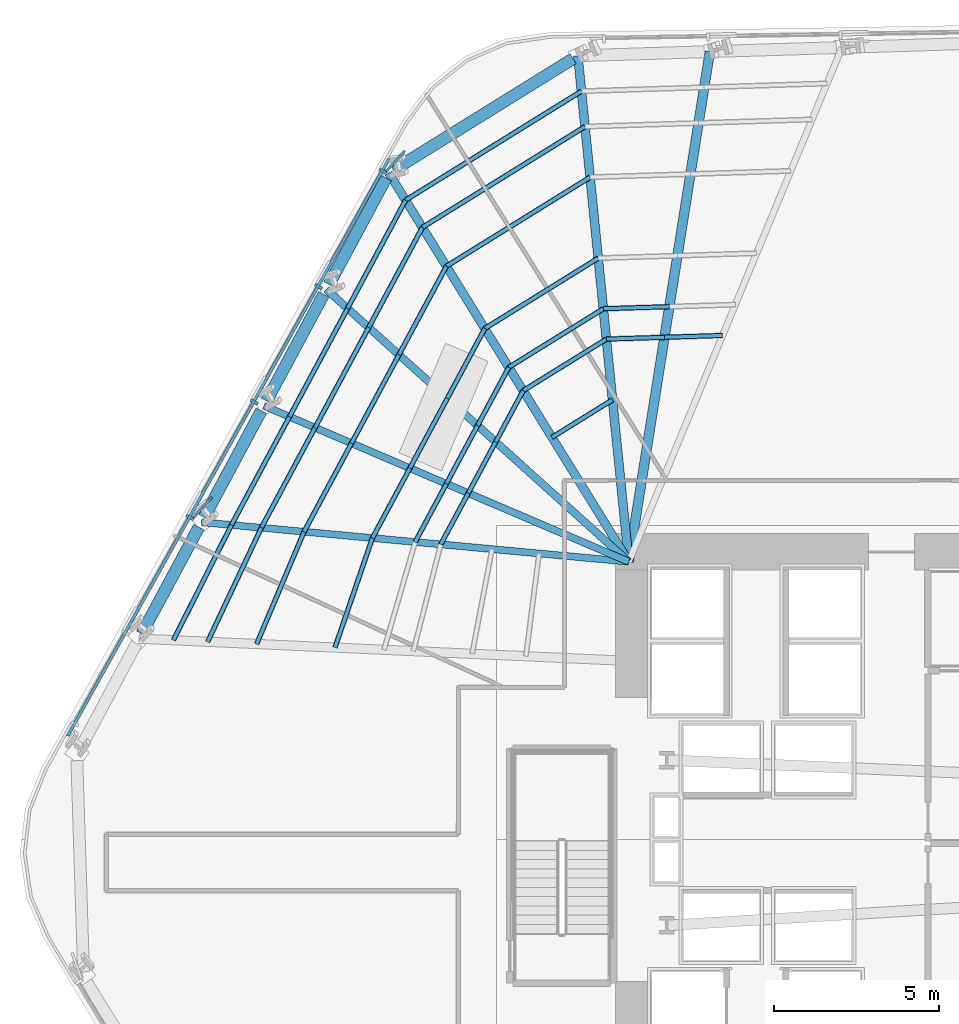
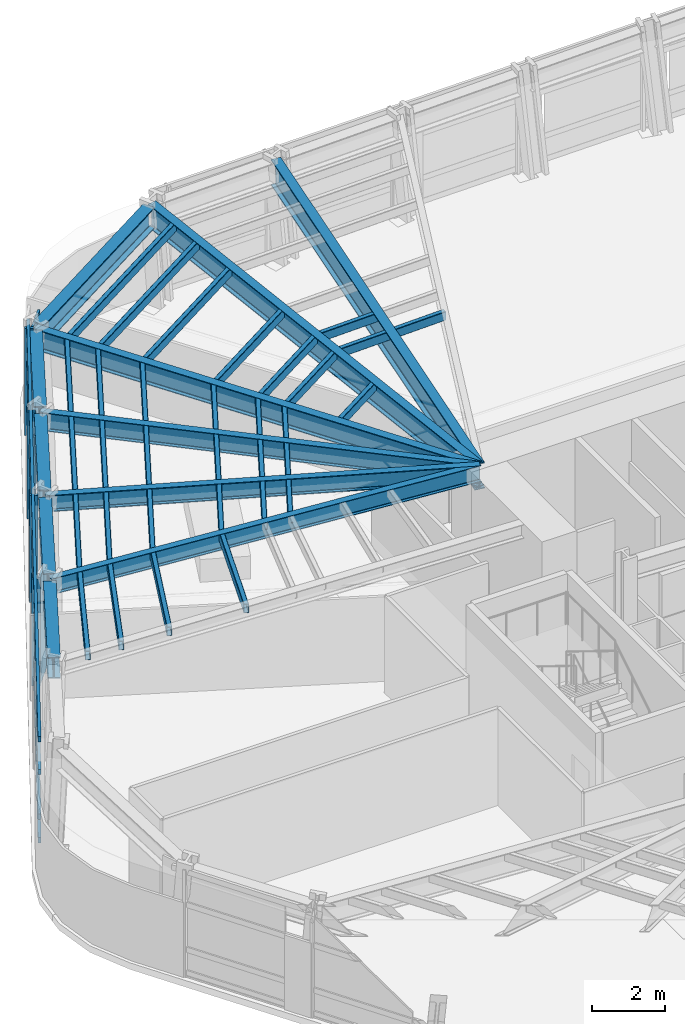
# One storey, part 5 of 15: 42 members, 11 beams, 1 element without a shape of its own.
"""IFC4 building model written with IfcOpenShell, lengths in metres."""

from ifc_helpers import new_model, si_unit, direction, frame, origin, origin_2d, place, context, subcontext, project, spatial, rectangle, hollow_rectangle, i_section, extrude, material, layer, layer_set, material_profile, profile_set, type_object, element, aggregate, save


model = new_model("IFC4")

# Units and contexts
model_context = context("Model", 3, precision=1e-05, world=origin(), true_north=direction((0.0, 1.0)))
body_context = subcontext(model_context, "Body", "Model", "MODEL_VIEW")
ifc_project = project(units=[si_unit("LENGTHUNIT", "METRE"), si_unit("AREAUNIT", "SQUARE_METRE"), si_unit("VOLUMEUNIT", "CUBIC_METRE"), si_unit("PLANEANGLEUNIT", "RADIAN"), si_unit("MASSUNIT", "GRAM", prefix="KILO")], contexts=[model_context])

# Site, building, storey
site_placement = place(None, origin())
site = spatial("IfcSite", under=ifc_project, at=site_placement, CompositionType="ELEMENT")
building_placement = place(site_placement, origin())
building = spatial("IfcBuilding", under=site, at=building_placement, Name="Valkerne Bourse Tower", CompositionType="ELEMENT")
storey_placement = place(building_placement, frame((0.0, 0.0, 27.800048828125)))
storey = spatial("IfcBuildingStorey", under=building, at=storey_placement, Name="L06", CompositionType="ELEMENT", Elevation=27.800048828125)

# Beams
ifc_material_1 = material(Name="Steel ASTM A992", Category="steel")
ifc_material_profile_1 = material_profile(ifc_material_1, i_section(OverallWidth=0.209228515625, OverallDepth=0.533447265625, WebThickness=0.01025390625, FlangeThickness=0.015625, FilletRadius=0.017822265625, at=origin_2d()), Name="W21X62")
ifc_profile_set_1 = profile_set([ifc_material_profile_1], Name="Steel ASTM A992")
beam_type_1 = type_object("IfcBeamType", Name="BM-W21X62", PredefinedType="JOIST", material=ifc_profile_set_1)
beam_1_placement = place(storey_placement, frame((24.67626953125, 36.595703125, 3.313232421875), z_axis=(0.9957466841, -0.09213327903, 0.0), x_axis=(0.09213327903, 0.9957466841, 0.0)))
element("IfcBeam", 1, at=beam_1_placement, inside=storey, type_object=beam_type_1, Name="L06 Radial Composite Floor Beam 15", PredefinedType="JOIST", context=body_context, shape_type="SweptSolid", body=[
    extrude(i_section(OverallWidth=0.209228515625, OverallDepth=0.533447265625, WebThickness=0.01025390625, FlangeThickness=0.015625, FilletRadius=0.017822265625, at=origin_2d()), origin(), (0.0, 0.0, 1.0), 12.97900390625),
])
ifc_material_profile_2 = material_profile(ifc_material_1, i_section(OverallWidth=0.2138671875, OverallDepth=0.548583984375, WebThickness=0.0146484375, FlangeThickness=0.023681640625, FilletRadius=0.017822265625, at=origin_2d()), Name="W21X93")
ifc_profile_set_2 = profile_set([ifc_material_profile_2], Name="Steel ASTM A992")
beam_type_2 = type_object("IfcBeamType", Name="BM-W21X93", PredefinedType="BEAM", material=ifc_profile_set_2)
beam_2_placement = place(storey_placement, frame((26.564453125, 40.1171875, 3.3056640625), z_axis=(0.919514994847, -0.393054925234, 0.0), x_axis=(0.393054925234, 0.919514994847, 0.0)))
element("IfcBeam", 2, at=beam_2_placement, inside=storey, type_object=beam_type_2, Name="L06 Radial Composite Floor Beam 14", PredefinedType="BEAM", context=body_context, shape_type="SweptSolid", body=[
    extrude(i_section(OverallWidth=0.2138671875, OverallDepth=0.548583984375, WebThickness=0.0146484375, FlangeThickness=0.023681640625, FilletRadius=0.017822265625, at=origin_2d()), origin(), (0.0, 0.0, 1.0), 12.001708984375),
])
ifc_material_profile_3 = material_profile(ifc_material_1, i_section(OverallWidth=0.228271484375, OverallDepth=0.607177734375, WebThickness=0.01123046875, FlangeThickness=0.017333984375, FilletRadius=0.017822265625, at=origin_2d()), Name="W24X76")
ifc_profile_set_3 = profile_set([ifc_material_profile_3], Name="Steel ASTM A992")
beam_type_3 = type_object("IfcBeamType", Name="BM-W24X76", PredefinedType="JOIST", material=ifc_profile_set_3)
beam_3_placement = place(storey_placement, frame((28.452880859375, 43.638916015625, 3.2763671875), z_axis=(0.74303079945, -0.669257223397, 0.0), x_axis=(0.669257223397, 0.74303079945, 0.0)))
element("IfcBeam", 3, at=beam_3_placement, inside=storey, type_object=beam_type_3, Name="L06 Radial Composite Floor Beam 13", PredefinedType="JOIST", context=body_context, shape_type="SweptSolid", body=[
    extrude(i_section(OverallWidth=0.228271484375, OverallDepth=0.607177734375, WebThickness=0.01123046875, FlangeThickness=0.017333984375, FilletRadius=0.017822265625, at=origin_2d()), origin(), (0.0, 0.0, 1.0), 12.310791015625),
])
ifc_material_profile_4 = material_profile(ifc_material_1, i_section(OverallWidth=0.255859375, OverallDepth=0.693359375, WebThickness=0.014404296875, FlangeThickness=0.023681640625, FilletRadius=0.02294921875, at=origin_2d()), Name="W27X114")
ifc_profile_set_4 = profile_set([ifc_material_profile_4], Name="Steel ASTM A992")
beam_type_4 = type_object("IfcBeamType", Name="BM-W27X114", PredefinedType="BEAM", material=ifc_profile_set_4)
beam_4_placement = place(storey_placement, frame((30.341064453125, 47.16064453125, 3.233154296875), z_axis=(0.525233356698, -0.850958236937, 0.0), x_axis=(0.850958236937, 0.525233356698, 0.0)))
element("IfcBeam", 4, at=beam_4_placement, inside=storey, type_object=beam_type_4, Name="L06 Radial Composite Floor Beam 12", PredefinedType="BEAM", context=body_context, shape_type="SweptSolid", body=[
    extrude(i_section(OverallWidth=0.255859375, OverallDepth=0.693359375, WebThickness=0.014404296875, FlangeThickness=0.023681640625, FilletRadius=0.02294921875, at=origin_2d()), origin(), (0.0, 0.0, 1.0), 13.820556640625),
])
ifc_material_profile_5 = material_profile(ifc_material_1, i_section(OverallWidth=0.358154296875, OverallDepth=0.7060546875, WebThickness=0.018310546875, FlangeThickness=0.0302734375, FilletRadius=0.02294921875, at=origin_2d()), Name="W27X178")
ifc_profile_set_5 = profile_set([ifc_material_profile_5], Name="Steel ASTM A992")
beam_type_5 = type_object("IfcBeamType", Name="BM-W27X178", PredefinedType="SPANDREL", material=ifc_profile_set_5)
beam_5_placement = place(storey_placement, frame((35.91552734375, 50.616943359375, 3.226806640625), z_axis=(-0.849892765707, -0.526955678211, 0.0), x_axis=(0.526955678211, -0.849892765707, 0.0)))
element("IfcBeam", 5, at=beam_5_placement, inside=storey, type_object=beam_type_5, Name="L06 Hexagonal Spandrel Ring Beam 11", PredefinedType="SPANDREL", context=body_context, shape_type="SweptSolid", body=[
    extrude(i_section(OverallWidth=0.358154296875, OverallDepth=0.7060546875, WebThickness=0.018310546875, FlangeThickness=0.0302734375, FilletRadius=0.02294921875, at=origin_2d()), origin(), (0.0, 0.0, 1.0), 6.388916015625),
])
beam_6_placement = place(storey_placement, frame((30.2607421875, 47.010986328125, 3.226806640625), z_axis=(-0.472514172912, -0.881323071522, 0.0), x_axis=(0.881323071522, -0.472514172912, 0.0)))
element("IfcBeam", 6, at=beam_6_placement, inside=storey, type_object=beam_type_5, Name="L06 Hexagonal Spandrel Ring Beam 12", PredefinedType="SPANDREL", context=body_context, shape_type="SweptSolid", body=[
    extrude(i_section(OverallWidth=0.358154296875, OverallDepth=0.7060546875, WebThickness=0.018310546875, FlangeThickness=0.0302734375, FilletRadius=0.02294921875, at=origin_2d()), origin(), (0.0, 0.0, 1.0), 3.656005859375),
])
beam_7_placement = place(storey_placement, frame((28.37255859375, 43.4892578125, 3.226806640625), z_axis=(-0.472566038193, -0.88129526241, 0.0), x_axis=(0.88129526241, -0.472566038193, 0.0)))
element("IfcBeam", 7, at=beam_7_placement, inside=storey, type_object=beam_type_5, Name="L06 Hexagonal Spandrel Ring Beam 13", PredefinedType="SPANDREL", context=body_context, shape_type="SweptSolid", body=[
    extrude(i_section(OverallWidth=0.358154296875, OverallDepth=0.7060546875, WebThickness=0.018310546875, FlangeThickness=0.0302734375, FilletRadius=0.02294921875, at=origin_2d()), origin(), (0.0, 0.0, 1.0), 3.65625),
])
beam_8_placement = place(storey_placement, frame((26.484130859375, 39.967529296875, 3.226806640625), z_axis=(-0.472514172912, -0.881323071522, 0.0), x_axis=(0.881323071522, -0.472514172912, 0.0)))
element("IfcBeam", 8, at=beam_8_placement, inside=storey, type_object=beam_type_5, Name="L06 Hexagonal Spandrel Ring Beam 14", PredefinedType="SPANDREL", context=body_context, shape_type="SweptSolid", body=[
    extrude(i_section(OverallWidth=0.358154296875, OverallDepth=0.7060546875, WebThickness=0.018310546875, FlangeThickness=0.0302734375, FilletRadius=0.02294921875, at=origin_2d()), origin(), (0.0, 0.0, 1.0), 3.656005859375),
])
beam_9_placement = place(storey_placement, frame((24.595947265625, 36.44580078125, 3.226806640625), z_axis=(-0.472566038193, -0.88129526241, 0.0), x_axis=(0.88129526241, -0.472566038193, 0.0)))
element("IfcBeam", 9, at=beam_9_placement, inside=storey, type_object=beam_type_5, Name="L06 Hexagonal Spandrel Ring Beam 15", PredefinedType="SPANDREL", context=body_context, shape_type="SweptSolid", body=[
    extrude(i_section(OverallWidth=0.358154296875, OverallDepth=0.7060546875, WebThickness=0.018310546875, FlangeThickness=0.0302734375, FilletRadius=0.02294921875, at=origin_2d()), origin(), (0.0, 0.0, 1.0), 3.65625),
])
ifc_material_profile_6 = material_profile(ifc_material_1, i_section(OverallWidth=0.26806640625, OverallDepth=0.76953125, WebThickness=0.015625, FlangeThickness=0.025390625, FilletRadius=0.025390625, at=origin_2d()), Name="W30X132")
ifc_profile_set_6 = profile_set([ifc_material_profile_6], Name="Steel ASTM A992")
beam_type_6 = type_object("IfcBeamType", Name="BM-W30X132", PredefinedType="BEAM", material=ifc_profile_set_6)
beam_10_placement = place(storey_placement, frame((36.06005859375, 50.70654296875, 3.195068359375), z_axis=(0.100107069618, -0.994976670386, 0.0), x_axis=(0.994976670386, 0.100107069618, 0.0)))
element("IfcBeam", 10, at=beam_10_placement, inside=storey, type_object=beam_type_6, Name="L06 Radial Composite Floor Beam 11", PredefinedType="BEAM", context=body_context, shape_type="SweptSolid", body=[
    extrude(i_section(OverallWidth=0.26806640625, OverallDepth=0.76953125, WebThickness=0.015625, FlangeThickness=0.025390625, FilletRadius=0.025390625, at=origin_2d()), origin(), (0.0, 0.0, 1.0), 15.384033203125),
])
ifc_material_profile_7 = material_profile(ifc_material_1, i_section(OverallWidth=0.2919921875, OverallDepth=0.8583984375, WebThickness=0.01708984375, FlangeThickness=0.031005859375, FilletRadius=0.025390625, at=origin_2d()), Name="W33X169")
ifc_profile_set_7 = profile_set([ifc_material_profile_7], Name="Steel ASTM A992")
beam_type_7 = type_object("IfcBeamType", Name="BM-W33X169", PredefinedType="BEAM", material=ifc_profile_set_7)
beam_11_placement = place(storey_placement, frame((40.05419921875, 50.83203125, 3.150634765625), z_axis=(-0.157052017358, -0.987590331992, 0.0), x_axis=(0.987590331992, -0.157052017358, 0.0)))
element("IfcBeam", 11, at=beam_11_placement, inside=storey, type_object=beam_type_7, Name="L06 Radial Composite Floor Beam 10", PredefinedType="BEAM", context=body_context, shape_type="SweptSolid", body=[
    extrude(i_section(OverallWidth=0.2919921875, OverallDepth=0.8583984375, WebThickness=0.01708984375, FlangeThickness=0.031005859375, FilletRadius=0.025390625, at=origin_2d()), origin(), (0.0, 0.0, 1.0), 15.6259765625),
])

# Curtain wall, members
ifc_material_2 = material(Name="Aluminium AA 6063-T6", Category="aluminium")
ifc_layer = layer(ifc_material_2, 0.22509765625)
ifc_layer_set = layer_set([ifc_layer], Name="Aluminium AA 6063-T6")
curtain_wall_type = type_object("IfcCurtainWallType", Name="CW-01", PredefinedType="NOTDEFINED", material=ifc_layer_set)
curtain_wall_placement = place(storey_placement, origin())
curtain_wall = element("IfcCurtainWall", 12, at=curtain_wall_placement, inside=storey, type_object=curtain_wall_type, Name="L06 Hexagonal Stick Curtain Wall Face 3", PredefinedType="NOTDEFINED")
ifc_material_profile_8 = material_profile(ifc_material_2, rectangle(XDim=0.090087890625, YDim=0.239990234375, at=origin_2d()), Name="CWM-90X240")
ifc_profile_set_8 = profile_set([ifc_material_profile_8], Name="Aluminium AA 6063-T6")
member_type_1 = type_object("IfcMemberType", Name="CW-MUL-240X90", PredefinedType="MULLION", material=ifc_profile_set_8)
member_1_placement = place(storey_placement, frame((30.158447265625, 47.215087890625, 0.0), z_axis=(0.0, 0.0, 1.0), x_axis=(-0.486335451261, -0.873772183608, 0.0)))
member_1 = element("IfcMember", 13, at=member_1_placement, type_object=member_type_1, Name="CW-L06-F3 Jamb Mullion 00A", PredefinedType="MULLION", context=body_context, shape_type="SweptSolid", body=[
    extrude(rectangle(XDim=0.090087890625, YDim=0.239990234375, at=origin_2d()), origin(), (0.0, 0.0, 1.0), 3.579833984375),
])
member_2_placement = place(storey_placement, frame((28.215087890625, 43.723388671875, 0.0), z_axis=(0.0, 0.0, 1.0), x_axis=(-0.486335451261, -0.873772183608, 0.0)))
member_2 = element("IfcMember", 14, at=member_2_placement, type_object=member_type_1, Name="CW-L06-F3 Jamb Mullion 01A", PredefinedType="MULLION", context=body_context, shape_type="SweptSolid", body=[
    extrude(rectangle(XDim=0.090087890625, YDim=0.239990234375, at=origin_2d()), origin(), (0.0, 0.0, 1.0), 3.579833984375),
])
member_3_placement = place(storey_placement, frame((26.271728515625, 40.23193359375, 0.0), z_axis=(0.0, 0.0, 1.0), x_axis=(-0.486335451261, -0.873772183608, 0.0)))
member_3 = element("IfcMember", 15, at=member_3_placement, type_object=member_type_1, Name="CW-L06-F3 Jamb Mullion 02A", PredefinedType="MULLION", context=body_context, shape_type="SweptSolid", body=[
    extrude(rectangle(XDim=0.090087890625, YDim=0.239990234375, at=origin_2d()), origin(), (0.0, 0.0, 1.0), 3.579833984375),
])
member_4_placement = place(storey_placement, frame((24.328369140625, 36.740234375, 0.0), z_axis=(0.0, 0.0, 1.0), x_axis=(-0.486335451261, -0.873772183608, 0.0)))
member_4 = element("IfcMember", 16, at=member_4_placement, type_object=member_type_1, Name="CW-L06-F3 Jamb Mullion 03A", PredefinedType="MULLION", context=body_context, shape_type="SweptSolid", body=[
    extrude(rectangle(XDim=0.090087890625, YDim=0.239990234375, at=origin_2d()), origin(), (0.0, 0.0, 1.0), 3.579833984375),
])
ifc_material_profile_9 = material_profile(ifc_material_2, rectangle(XDim=0.090087890625, YDim=0.179931640625, at=origin_2d()), Name="CWT-90X180")
ifc_profile_set_9 = profile_set([ifc_material_profile_9], Name="Aluminium AA 6063-T6")
member_type_2 = type_object("IfcMemberType", Name="CW-TRN-180X90", PredefinedType="USERDEFINED", material=ifc_profile_set_9)
member_5_placement = place(storey_placement, frame((30.34521484375, 47.591796875, 0.119873046875), z_axis=(-0.486336852389, -0.873771403749, 0.0), x_axis=(0.873771403749, -0.486336852389, 0.0)))
member_5 = element("IfcMember", 17, at=member_5_placement, type_object=member_type_2, Name="CW-L06-F3 Continuous Face Transom 1", ObjectType="TRANSOM", PredefinedType="USERDEFINED", context=body_context, shape_type="SweptSolid", body=[
    extrude(rectangle(XDim=0.090087890625, YDim=0.179931640625, at=origin_2d()), origin(), (0.0, 0.0, 1.0), 19.97998046875),
])
member_6_placement = place(storey_placement, frame((30.34521484375, 47.591796875, 0.89990234375), z_axis=(-0.486336852389, -0.873771403749, 0.0), x_axis=(0.873771403749, -0.486336852389, 0.0)))
member_6 = element("IfcMember", 18, at=member_6_placement, type_object=member_type_2, Name="CW-L06-F3 Continuous Face Transom 2", ObjectType="TRANSOM", PredefinedType="USERDEFINED", context=body_context, shape_type="SweptSolid", body=[
    extrude(rectangle(XDim=0.090087890625, YDim=0.179931640625, at=origin_2d()), origin(), (0.0, 0.0, 1.0), 19.97998046875),
])
member_7_placement = place(storey_placement, frame((30.34521484375, 47.591796875, 2.39990234375), z_axis=(-0.486336852389, -0.873771403749, 0.0), x_axis=(0.873771403749, -0.486336852389, 0.0)))
member_7 = element("IfcMember", 19, at=member_7_placement, type_object=member_type_2, Name="CW-L06-F3 Continuous Face Transom 3", ObjectType="TRANSOM", PredefinedType="USERDEFINED", context=body_context, shape_type="SweptSolid", body=[
    extrude(rectangle(XDim=0.090087890625, YDim=0.179931640625, at=origin_2d()), origin(), (0.0, 0.0, 1.0), 19.97998046875),
])
member_8_placement = place(storey_placement, frame((30.34521484375, 47.591796875, 3.5), z_axis=(-0.486336852389, -0.873771403749, 0.0), x_axis=(0.873771403749, -0.486336852389, 0.0)))
member_8 = element("IfcMember", 20, at=member_8_placement, type_object=member_type_2, Name="CW-L06-F3 Continuous Face Transom 4", ObjectType="TRANSOM", PredefinedType="USERDEFINED", context=body_context, shape_type="SweptSolid", body=[
    extrude(rectangle(XDim=0.090087890625, YDim=0.179931640625, at=origin_2d()), origin(), (0.0, 0.0, 1.0), 19.97998046875),
])
aggregate(curtain_wall, [member_5, member_6, member_7, member_8, member_1, member_2, member_3, member_4])

# Members
ifc_material_3 = material(Name="Bronze Anodised Aluminium AA 6063-T6", Category="aluminium")
ifc_material_profile_10 = material_profile(ifc_material_3, rectangle(XDim=0.070068359375, YDim=0.89990234375, at=origin_2d()), Name="FIN-70X900")
ifc_profile_set_10 = profile_set([ifc_material_profile_10], Name="Bronze Anodised Aluminium AA 6063-T6")
member_type_3 = type_object("IfcMemberType", Name="FIN-SOLAR-900", PredefinedType="USERDEFINED", material=ifc_profile_set_10)
for number, where, z_axis, x_axis, name in (
    (21, (30.52001953125, 47.494384765625, 0.00390625), (0.0, 0.0, 1.0), (-0.740249532113, 0.672332232015, 0.0), "L06 Bronze Anodised Solar Fin F3-00"),
    (22, (24.689697265625, 37.019775390625, 0.00390625), (0.0, 0.0, 1.0), (-0.740249532113, 0.672332232015, 0.0), "L06 Bronze Anodised Solar Fin F3-03"),
):
    element("IfcMember", number, at=place(storey_placement, frame(where, z_axis=z_axis, x_axis=x_axis)), inside=storey, type_object=member_type_3, Name=name, ObjectType="SOLAR_FIN", PredefinedType="USERDEFINED", context=body_context, shape_type="SweptSolid", body=[
        extrude(rectangle(XDim=0.070068359375, YDim=0.89990234375, at=origin_2d()), origin(), (0.0, 0.0, 1.0), 3.572021484375),
    ])
ifc_material_4 = material(Name="Steel ASTM A500 Grade C", Category="steel")
ifc_material_profile_11 = material_profile(ifc_material_4, hollow_rectangle(XDim=0.14990234375, YDim=0.300048828125, WallThickness=0.012451171875, OuterFilletRadius=0.02490234375, at=origin_2d()), Name="HSS300X150X12.5")
ifc_profile_set_11 = profile_set([ifc_material_profile_11], Name="Steel ASTM A500 Grade C")
member_type_4 = type_object("IfcMemberType", Name="MBR-HSS300X150X12.5", PredefinedType="PURLIN", material=ifc_profile_set_11)
member_9_placement = place(storey_placement, frame((37.107177734375, 40.298095703125, 3.419921875), z_axis=(-0.849878318391, -0.52697897864, 0.0), x_axis=(0.52697897864, -0.849878318391, 0.0)))
element("IfcMember", 23, at=member_9_placement, inside=storey, type_object=member_type_4, Name="L06 Secondary Composite Floor Purlin I-11", PredefinedType="PURLIN", context=body_context, shape_type="SweptSolid", body=[
    extrude(hollow_rectangle(XDim=0.14990234375, YDim=0.300048828125, WallThickness=0.012451171875, OuterFilletRadius=0.02490234375, at=origin_2d()), origin(), (0.0, 0.0, 1.0), 2.1533203125),
])
member_10_placement = place(storey_placement, frame((40.437255859375, 42.245361328125, 3.419921875), z_axis=(-0.999507595888, -0.031377790897, 0.0), x_axis=(0.031377790897, -0.999507595888, 0.0)))
element("IfcMember", 24, at=member_10_placement, inside=storey, type_object=member_type_4, Name="L06 Secondary Composite Floor Purlin K-09", PredefinedType="PURLIN", context=body_context, shape_type="SweptSolid", body=[
    extrude(hollow_rectangle(XDim=0.14990234375, YDim=0.300048828125, WallThickness=0.012451171875, OuterFilletRadius=0.02490234375, at=origin_2d()), origin(), (0.0, 0.0, 1.0), 1.758544921875),
])
member_11_placement = place(storey_placement, frame((38.6796875, 42.190185546875, 3.419921875), z_axis=(-0.999507459163, -0.031382145842, 0.0), x_axis=(0.031382145842, -0.999507459163, 0.0)))
element("IfcMember", 25, at=member_11_placement, inside=storey, type_object=member_type_4, Name="L06 Secondary Composite Floor Purlin K-10", PredefinedType="PURLIN", context=body_context, shape_type="SweptSolid", body=[
    extrude(hollow_rectangle(XDim=0.14990234375, YDim=0.300048828125, WallThickness=0.012451171875, OuterFilletRadius=0.02490234375, at=origin_2d()), origin(), (0.0, 0.0, 1.0), 1.75830078125),
])
member_12_placement = place(storey_placement, frame((36.92236328125, 42.135009765625, 3.419921875), z_axis=(-0.849878318391, -0.52697897864, 0.0), x_axis=(0.52697897864, -0.849878318391, 0.0)))
element("IfcMember", 26, at=member_12_placement, inside=storey, type_object=member_type_4, Name="L06 Secondary Composite Floor Purlin K-11", PredefinedType="PURLIN", context=body_context, shape_type="SweptSolid", body=[
    extrude(hollow_rectangle(XDim=0.14990234375, YDim=0.300048828125, WallThickness=0.012451171875, OuterFilletRadius=0.02490234375, at=origin_2d()), origin(), (0.0, 0.0, 1.0), 2.9609375),
])
for number, where, z_axis, x_axis, name in (
    (27, (34.406005859375, 40.57470703125, 3.419921875), (-0.472525793384, -0.881316841202, 0.0), (0.881316841202, -0.472525793384, 0.0), "L06 Secondary Composite Floor Purlin K-12"),
    (28, (33.5751953125, 39.025146484375, 3.419921875), (-0.472525793384, -0.881316841202, 0.0), (0.881316841202, -0.472525793384, 0.0), "L06 Secondary Composite Floor Purlin K-13"),
    (29, (32.744384765625, 37.4755859375, 3.419921875), (-0.472525793384, -0.881316841202, 0.0), (0.881316841202, -0.472525793384, 0.0), "L06 Secondary Composite Floor Purlin K-14"),
):
    element("IfcMember", number, at=place(storey_placement, frame(where, z_axis=z_axis, x_axis=x_axis)), inside=storey, type_object=member_type_4, Name=name, PredefinedType="PURLIN", context=body_context, shape_type="SweptSolid", body=[
        extrude(hollow_rectangle(XDim=0.14990234375, YDim=0.300048828125, WallThickness=0.012451171875, OuterFilletRadius=0.02490234375, at=origin_2d()), origin(), (0.0, 0.0, 1.0), 1.75830078125),
    ])
member_13_placement = place(storey_placement, frame((38.826904296875, 43.1162109375, 3.419921875), z_axis=(-0.999502852748, -0.031528516446, 0.0), x_axis=(0.031528516446, -0.999502852748, 0.0)))
element("IfcMember", 30, at=member_13_placement, inside=storey, type_object=member_type_4, Name="L06 Secondary Composite Floor Purlin M-10", PredefinedType="PURLIN", context=body_context, shape_type="SweptSolid", body=[
    extrude(hollow_rectangle(XDim=0.14990234375, YDim=0.300048828125, WallThickness=0.012451171875, OuterFilletRadius=0.02490234375, at=origin_2d()), origin(), (0.0, 0.0, 1.0), 1.997802734375),
])
member_14_placement = place(storey_placement, frame((36.830078125, 43.05322265625, 3.419921875), z_axis=(-0.849884492229, -0.526969021735, 0.0), x_axis=(0.526969021735, -0.849884492229, 0.0)))
element("IfcMember", 31, at=member_14_placement, inside=storey, type_object=member_type_4, Name="L06 Secondary Composite Floor Purlin M-11", PredefinedType="PURLIN", context=body_context, shape_type="SweptSolid", body=[
    extrude(hollow_rectangle(XDim=0.14990234375, YDim=0.300048828125, WallThickness=0.012451171875, OuterFilletRadius=0.02490234375, at=origin_2d()), origin(), (0.0, 0.0, 1.0), 3.364501953125),
])
member_15_placement = place(storey_placement, frame((33.970703125, 41.2802734375, 3.419921875), z_axis=(-0.472641828041, -0.881254618363, 0.0), x_axis=(0.881254618363, -0.472641828041, 0.0)))
element("IfcMember", 32, at=member_15_placement, inside=storey, type_object=member_type_4, Name="L06 Secondary Composite Floor Purlin M-12", PredefinedType="PURLIN", context=body_context, shape_type="SweptSolid", body=[
    extrude(hollow_rectangle(XDim=0.14990234375, YDim=0.300048828125, WallThickness=0.012451171875, OuterFilletRadius=0.02490234375, at=origin_2d()), origin(), (0.0, 0.0, 1.0), 1.998046875),
])
member_16_placement = place(storey_placement, frame((33.0263671875, 39.51953125, 3.419921875), z_axis=(-0.47254692369, -0.881305511676, 0.0), x_axis=(0.881305511676, -0.47254692369, 0.0)))
element("IfcMember", 33, at=member_16_placement, inside=storey, type_object=member_type_4, Name="L06 Secondary Composite Floor Purlin M-13", PredefinedType="PURLIN", context=body_context, shape_type="SweptSolid", body=[
    extrude(hollow_rectangle(XDim=0.14990234375, YDim=0.300048828125, WallThickness=0.012451171875, OuterFilletRadius=0.02490234375, at=origin_2d()), origin(), (0.0, 0.0, 1.0), 1.997802734375),
])
member_17_placement = place(storey_placement, frame((32.082275390625, 37.7587890625, 3.419921875), z_axis=(-0.472496037241, -0.881332794574, 0.0), x_axis=(0.881332794574, -0.472496037241, 0.0)))
element("IfcMember", 34, at=member_17_placement, inside=storey, type_object=member_type_4, Name="L06 Secondary Composite Floor Purlin M-14", PredefinedType="PURLIN", context=body_context, shape_type="SweptSolid", body=[
    extrude(hollow_rectangle(XDim=0.14990234375, YDim=0.300048828125, WallThickness=0.012451171875, OuterFilletRadius=0.02490234375, at=origin_2d()), origin(), (0.0, 0.0, 1.0), 1.998046875),
])
member_18_placement = place(storey_placement, frame((36.4296875, 47.032958984375, 3.419921875), z_axis=(-0.84989969852, -0.52694449656, 0.0), x_axis=(0.52694449656, -0.84989969852, 0.0)))
element("IfcMember", 35, at=member_18_placement, inside=storey, type_object=member_type_4, Name="L06 Secondary Composite Floor Purlin O-11", PredefinedType="PURLIN", context=body_context, shape_type="SweptSolid", body=[
    extrude(hollow_rectangle(XDim=0.14990234375, YDim=0.300048828125, WallThickness=0.012451171875, OuterFilletRadius=0.02490234375, at=origin_2d()), origin(), (0.0, 0.0, 1.0), 5.114013671875),
])
member_19_placement = place(storey_placement, frame((32.083251953125, 44.338134765625, 3.419921875), z_axis=(-0.47253146977, -0.881313797735, 0.0), x_axis=(0.881313797735, -0.47253146977, 0.0)))
element("IfcMember", 36, at=member_19_placement, inside=storey, type_object=member_type_4, Name="L06 Secondary Composite Floor Purlin O-12", PredefinedType="PURLIN", context=body_context, shape_type="SweptSolid", body=[
    extrude(hollow_rectangle(XDim=0.14990234375, YDim=0.300048828125, WallThickness=0.012451171875, OuterFilletRadius=0.02490234375, at=origin_2d()), origin(), (0.0, 0.0, 1.0), 3.036865234375),
])
member_20_placement = place(storey_placement, frame((30.648193359375, 41.66162109375, 3.419921875), z_axis=(-0.472593906125, -0.881280318567, 0.0), x_axis=(0.881280318567, -0.472593906125, 0.0)))
element("IfcMember", 37, at=member_20_placement, inside=storey, type_object=member_type_4, Name="L06 Secondary Composite Floor Purlin O-13", PredefinedType="PURLIN", context=body_context, shape_type="SweptSolid", body=[
    extrude(hollow_rectangle(XDim=0.14990234375, YDim=0.300048828125, WallThickness=0.012451171875, OuterFilletRadius=0.02490234375, at=origin_2d()), origin(), (0.0, 0.0, 1.0), 3.037109375),
])
member_21_placement = place(storey_placement, frame((29.212890625, 38.985107421875, 3.419921875), z_axis=(-0.47253146977, -0.881313797735, 0.0), x_axis=(0.881313797735, -0.47253146977, 0.0)))
element("IfcMember", 38, at=member_21_placement, inside=storey, type_object=member_type_4, Name="L06 Secondary Composite Floor Purlin O-14", PredefinedType="PURLIN", context=body_context, shape_type="SweptSolid", body=[
    extrude(hollow_rectangle(XDim=0.14990234375, YDim=0.300048828125, WallThickness=0.012451171875, OuterFilletRadius=0.02490234375, at=origin_2d()), origin(), (0.0, 0.0, 1.0), 3.036865234375),
])
member_22_placement = place(storey_placement, frame((27.77783203125, 36.30859375, 3.419921875), z_axis=(-0.389199302437, -0.921153571878, 0.0), x_axis=(0.921153571878, -0.389199302437, 0.0)))
element("IfcMember", 39, at=member_22_placement, inside=storey, type_object=member_type_4, Name="L06 Secondary Composite Floor Purlin O-15", PredefinedType="PURLIN", context=body_context, shape_type="SweptSolid", body=[
    extrude(hollow_rectangle(XDim=0.14990234375, YDim=0.300048828125, WallThickness=0.012451171875, OuterFilletRadius=0.02490234375, at=origin_2d()), origin(), (0.0, 0.0, 1.0), 3.687255859375),
])
member_23_placement = place(storey_placement, frame((36.676025390625, 44.583984375, 3.419921875), z_axis=(-0.849878318391, -0.52697897864, 0.0), x_axis=(0.52697897864, -0.849878318391, 0.0)))
element("IfcMember", 40, at=member_23_placement, inside=storey, type_object=member_type_4, Name="L06 Secondary Composite Floor Purlin Z-11", PredefinedType="PURLIN", context=body_context, shape_type="SweptSolid", body=[
    extrude(hollow_rectangle(XDim=0.14990234375, YDim=0.300048828125, WallThickness=0.012451171875, OuterFilletRadius=0.02490234375, at=origin_2d()), origin(), (0.0, 0.0, 1.0), 4.03759765625),
])
member_24_placement = place(storey_placement, frame((33.24462890625, 42.456298828125, 3.419921875), z_axis=(-0.472532249005, -0.881313379934, 0.0), x_axis=(0.881313379934, -0.472532249005, 0.0)))
element("IfcMember", 41, at=member_24_placement, inside=storey, type_object=member_type_4, Name="L06 Secondary Composite Floor Purlin Z-12", PredefinedType="PURLIN", context=body_context, shape_type="SweptSolid", body=[
    extrude(hollow_rectangle(XDim=0.14990234375, YDim=0.300048828125, WallThickness=0.012451171875, OuterFilletRadius=0.02490234375, at=origin_2d()), origin(), (0.0, 0.0, 1.0), 2.397216796875),
])
for number, where, z_axis, x_axis, name in (
    (42, (32.11181640625, 40.343505859375, 3.419921875), (-0.472568932437, -0.881293710459, 0.0), (0.881293710459, -0.472568932437, 0.0), "L06 Secondary Composite Floor Purlin Z-13"),
    (43, (30.978759765625, 38.23046875, 3.419921875), (-0.472568932437, -0.881293710459, 0.0), (0.881293710459, -0.472568932437, 0.0), "L06 Secondary Composite Floor Purlin Z-14"),
):
    element("IfcMember", number, at=place(storey_placement, frame(where, z_axis=z_axis, x_axis=x_axis)), inside=storey, type_object=member_type_4, Name=name, PredefinedType="PURLIN", context=body_context, shape_type="SweptSolid", body=[
        extrude(hollow_rectangle(XDim=0.14990234375, YDim=0.300048828125, WallThickness=0.012451171875, OuterFilletRadius=0.02490234375, at=origin_2d()), origin(), (0.0, 0.0, 1.0), 2.397705078125),
    ])
member_25_placement = place(storey_placement, frame((29.845703125, 36.117431640625, 3.419921875), z_axis=(-0.323580910772, -0.946200504219, 0.0), x_axis=(0.946200504219, -0.323580910772, 0.0)))
element("IfcMember", 44, at=member_25_placement, inside=storey, type_object=member_type_4, Name="L06 Secondary Composite Floor Purlin Z-15", PredefinedType="PURLIN", context=body_context, shape_type="SweptSolid", body=[
    extrude(hollow_rectangle(XDim=0.14990234375, YDim=0.300048828125, WallThickness=0.012451171875, OuterFilletRadius=0.02490234375, at=origin_2d()), origin(), (0.0, 0.0, 1.0), 3.501708984375),
])
member_26_placement = place(storey_placement, frame((36.275634765625, 48.563720703125, 3.419921875), z_axis=(-0.849881907771, -0.526973189872, 0.0), x_axis=(0.526973189872, -0.849881907771, 0.0)))
element("IfcMember", 45, at=member_26_placement, inside=storey, type_object=member_type_4, Name="L06 Secondary Composite Floor Purlin T-11", PredefinedType="PURLIN", context=body_context, shape_type="SweptSolid", body=[
    extrude(hollow_rectangle(XDim=0.14990234375, YDim=0.300048828125, WallThickness=0.012451171875, OuterFilletRadius=0.02490234375, at=origin_2d()), origin(), (0.0, 0.0, 1.0), 5.786865234375),
])
for number, where, z_axis, x_axis, name in (
    (46, (31.357421875, 45.51416015625, 3.419921875), (-0.472578208368, -0.88128873644, 0.0), (0.88128873644, -0.472578208368, 0.0), "L06 Secondary Composite Floor Purlin T-12"),
    (47, (29.7333984375, 42.485595703125, 3.419921875), (-0.472493443821, -0.881334184941, 0.0), (0.881334184941, -0.472493443821, 0.0), "L06 Secondary Composite Floor Purlin T-13"),
    (48, (28.109619140625, 39.456787109375, 3.419921875), (-0.472578208368, -0.88128873644, 0.0), (0.88128873644, -0.472578208368, 0.0), "L06 Secondary Composite Floor Purlin T-14"),
):
    element("IfcMember", number, at=place(storey_placement, frame(where, z_axis=z_axis, x_axis=x_axis)), inside=storey, type_object=member_type_4, Name=name, PredefinedType="PURLIN", context=body_context, shape_type="SweptSolid", body=[
        extrude(hollow_rectangle(XDim=0.14990234375, YDim=0.300048828125, WallThickness=0.012451171875, OuterFilletRadius=0.02490234375, at=origin_2d()), origin(), (0.0, 0.0, 1.0), 3.4365234375),
    ])
member_27_placement = place(storey_placement, frame((26.485595703125, 36.42822265625, 3.419921875), z_axis=(-0.426031432621, -0.904708360975, 0.0), x_axis=(0.904708360975, -0.426031432621, 0.0)))
element("IfcMember", 49, at=member_27_placement, inside=storey, type_object=member_type_4, Name="L06 Secondary Composite Floor Purlin T-15", PredefinedType="PURLIN", context=body_context, shape_type="SweptSolid", body=[
    extrude(hollow_rectangle(XDim=0.14990234375, YDim=0.300048828125, WallThickness=0.012451171875, OuterFilletRadius=0.02490234375, at=origin_2d()), origin(), (0.0, 0.0, 1.0), 3.81201171875),
])
member_28_placement = place(storey_placement, frame((36.16796875, 49.635009765625, 3.419921875), z_axis=(-0.849908282473, -0.526930651398, 0.0), x_axis=(0.526930651398, -0.849908282473, 0.0)))
element("IfcMember", 50, at=member_28_placement, inside=storey, type_object=member_type_4, Name="L06 Secondary Composite Floor Purlin U-11", PredefinedType="PURLIN", context=body_context, shape_type="SweptSolid", body=[
    extrude(hollow_rectangle(XDim=0.14990234375, YDim=0.300048828125, WallThickness=0.012451171875, OuterFilletRadius=0.02490234375, at=origin_2d()), origin(), (0.0, 0.0, 1.0), 6.258056640625),
])
for number, where, z_axis, x_axis, name in (
    (51, (30.84912109375, 46.33740234375, 3.419921875), (-0.472547709026, -0.881305090587, 0.0), (0.881305090587, -0.472547709026, 0.0), "L06 Secondary Composite Floor Purlin U-12"),
    (52, (29.093017578125, 43.062255859375, 3.419921875), (-0.472547709026, -0.881305090587, 0.0), (0.881305090587, -0.472547709026, 0.0), "L06 Secondary Composite Floor Purlin U-13"),
    (53, (27.3369140625, 39.787109375, 3.419921875), (-0.472547709026, -0.881305090587, 0.0), (0.881305090587, -0.472547709026, 0.0), "L06 Secondary Composite Floor Purlin U-14"),
):
    element("IfcMember", number, at=place(storey_placement, frame(where, z_axis=z_axis, x_axis=x_axis)), inside=storey, type_object=member_type_4, Name=name, PredefinedType="PURLIN", context=body_context, shape_type="SweptSolid", body=[
        extrude(hollow_rectangle(XDim=0.14990234375, YDim=0.300048828125, WallThickness=0.012451171875, OuterFilletRadius=0.02490234375, at=origin_2d()), origin(), (0.0, 0.0, 1.0), 3.71630859375),
    ])
member_29_placement = place(storey_placement, frame((25.580810546875, 36.511962890625, 3.419921875), z_axis=(-0.449963933528, -0.893046728074, 0.0), x_axis=(0.893046728074, -0.449963933528, 0.0)))
element("IfcMember", 54, at=member_29_placement, inside=storey, type_object=member_type_4, Name="L06 Secondary Composite Floor Purlin U-15", PredefinedType="PURLIN", context=body_context, shape_type="SweptSolid", body=[
    extrude(hollow_rectangle(XDim=0.14990234375, YDim=0.300048828125, WallThickness=0.012451171875, OuterFilletRadius=0.02490234375, at=origin_2d()), origin(), (0.0, 0.0, 1.0), 3.90283203125),
])

save(model, "model.ifc")
